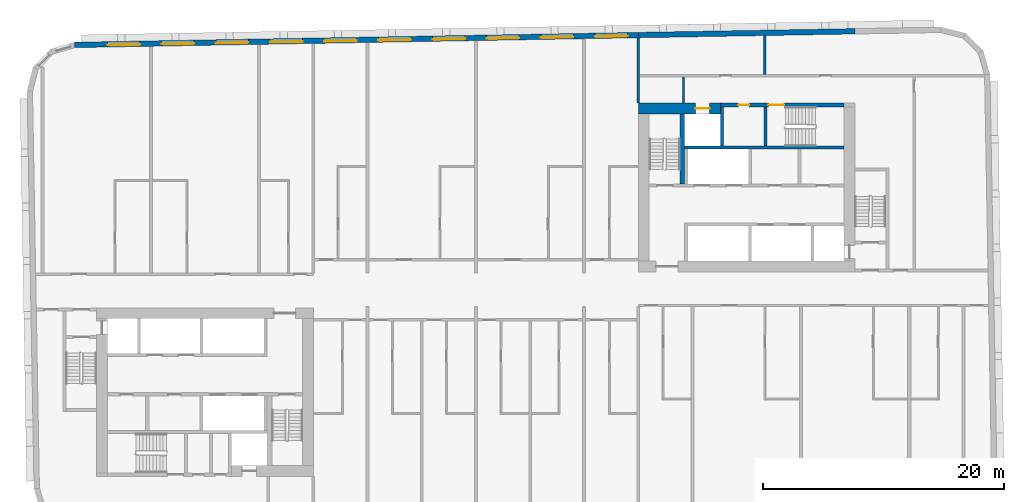
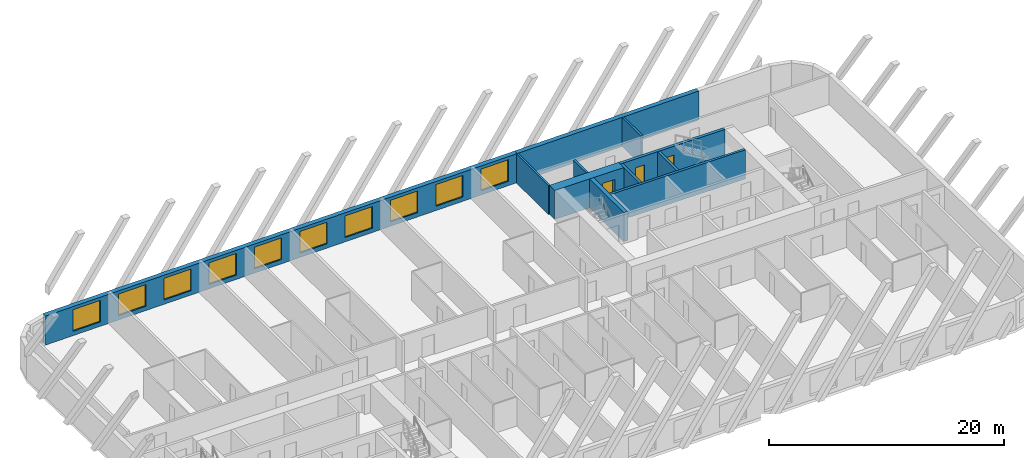
# One storey, part 6 of 12: 11 walls, 10 windows, 3 doors, 13 openings.
"""IFC4 building model written with IfcOpenShell, lengths in metres."""

from ifc_helpers import new_model, si_unit, direction, frame, frame_2d, origin, place, context, subcontext, project, spatial, rectangle, extrude, material, layer, layer_set, type_object, element, fill, save


model = new_model("IFC4")

# Units and contexts
model_context = context("Model", 3, precision=1e-05, world=origin(), true_north=direction((0.0, 1.0)))
body_context = subcontext(model_context, "Body", "Model", "MODEL_VIEW")
ifc_project = project(units=[si_unit("LENGTHUNIT", "METRE"), si_unit("AREAUNIT", "SQUARE_METRE"), si_unit("VOLUMEUNIT", "CUBIC_METRE"), si_unit("PLANEANGLEUNIT", "RADIAN"), si_unit("MASSUNIT", "GRAM", prefix="KILO")], contexts=[model_context])

# Site, building, storey
site_placement = place(None, origin())
site = spatial("IfcSite", under=ifc_project, at=site_placement, CompositionType="ELEMENT")
building_placement = place(site_placement, origin())
building = spatial("IfcBuilding", under=site, at=building_placement, Name="Kajstack Hotel Tower", CompositionType="ELEMENT")
storey_placement = place(building_placement, frame((0.0, 0.0, 247.39990234375)))
storey = spatial("IfcBuildingStorey", under=building, at=storey_placement, Name="L61", CompositionType="ELEMENT", Elevation=247.39990234375)

# Wall, opening, door
ifc_material_1 = material(Name="Concrete C60/75", Category="concrete")
ifc_layer_1 = layer(ifc_material_1, 0.89990234375)
ifc_layer_set_1 = layer_set([ifc_layer_1], Name="Core wall 900")
wall_type_1 = type_object("IfcWallType", Name="Core wall 900", PredefinedType="SHEAR", material=ifc_layer_set_1)
wall_1_placement = place(storey_placement, frame((13.5, 15.050048828125, 0.0), z_axis=(0.0, 0.0, 1.0), x_axis=(1.0, 0.0, 0.0)))
wall_1 = element("IfcWall", 1, at=wall_1_placement, inside=storey, type_object=wall_type_1, Name="Core wall E RS", PredefinedType="SHEAR", context=body_context, shape_type="SweptSolid", body=[
    extrude(rectangle(XDim=6.800048828125, YDim=0.89990234375, at=frame_2d((3.39990234375, 0.0))), origin(), (0.0, 0.0, 1.0), 3.02001953125),
])
opening_1_placement = place(wall_1_placement, frame((4.72509765625, 0.0, 0.0)))
opening_1 = element("IfcOpeningElement", 2, at=opening_1_placement, cuts=wall_1, Name="Opening LD-SV2", PredefinedType="OPENING", context=body_context, shape_type="SweptSolid", body=[
    extrude(rectangle(XDim=1.199951171875, YDim=2.10009765625, at=frame_2d((0.60009765625, 1.050048828125))), frame((0.0, 0.4599609375, 0.0), z_axis=(0.0, -1.0, 0.0), x_axis=(1.0, 0.0, 0.0)), (0.0, 0.0, 1.0), 0.919921875),
])
ifc_material_2 = material(Name="Stainless steel", Category="steel")
door_type_1 = type_object("IfcDoorType", Name="Lift landing door 1200", OperationType="SLIDING_TO_LEFT", PredefinedType="DOOR", material=ifc_material_2)
door_1_placement = place(opening_1_placement, origin())
door_1 = element("IfcDoor", 3, at=door_1_placement, inside=storey, type_object=door_type_1, Name="Landing door SV2", OperationType="SLIDING_TO_LEFT", OverallHeight=2.10009765625, OverallWidth=1.199951171875, PredefinedType="DOOR", context=body_context, shape_type="SweptSolid", body=[
    extrude(rectangle(XDim=1.199951171875, YDim=2.10009765625, at=frame_2d((0.60009765625, 1.050048828125))), frame((0.0, 0.02490234375, 0.0), z_axis=(0.0, -1.0, 0.0), x_axis=(1.0, 0.0, 0.0)), (0.0, 0.0, 1.0), 0.050048828125),
])
fill(opening_1, door_1)

# Walls
ifc_material_3 = material(Name="Twin-frame gypsum board on steel studs, mineral wool", Category="steel")
ifc_layer_2 = layer(ifc_material_3, 0.199951171875)
ifc_layer_set_2 = layer_set([ifc_layer_2], Name="Demising wall 200")
wall_type_2 = type_object("IfcWallType", Name="Demising wall 200", PredefinedType="PARTITIONING", material=ifc_layer_set_2)
wall_2_placement = place(storey_placement, frame((13.5, 15.5, 0.0), z_axis=(0.0, 0.0, 1.0), x_axis=(0.0, 1.0, 0.0)))
element("IfcWall", 4, at=wall_2_placement, inside=storey, type_object=wall_type_2, Name="G-wall-L61-001", PredefinedType="PARTITIONING", context=body_context, shape_type="SweptSolid", body=[
    extrude(rectangle(XDim=5.43603515625, YDim=0.199951171875, at=frame_2d((2.718017578125, 0.0))), origin(), (0.0, 0.0, 1.0), 3.02001953125),
])
ifc_material_4 = material(Name="Concrete C40/50", Category="concrete")
ifc_layer_3 = layer(ifc_material_4, 0.449951171875)
ifc_layer_set_3 = layer_set([ifc_layer_3], Name="EW-CORE")
wall_type_3 = type_object("IfcWallType", Name="EW-CORE", PredefinedType="SOLIDWALL", material=ifc_layer_set_3)
wall_3_placement = place(storey_placement, frame((31.50390625, 21.4755859375, 0.0), z_axis=(0.0, 0.0, 1.0), x_axis=(-0.999847677887, -0.017453395744, 0.0)))
element("IfcWall", 5, at=wall_3_placement, inside=storey, type_object=wall_type_3, Name="E-wall-L61-12-01", PredefinedType="SOLIDWALL", context=body_context, shape_type="SweptSolid", body=[
    extrude(rectangle(XDim=18.002685546875, YDim=0.449951171875, at=frame_2d((9.00146484375, 0.0))), origin(), (0.0, 0.0, 1.0), 3.02001953125),
])

# Wall, openings, windows
ifc_material_5 = material(Name="Terracotta-faced brick masonry", Category="masonry")
ifc_layer_4 = layer(ifc_material_5, 0.449951171875)
ifc_layer_set_4 = layer_set([ifc_layer_4], Name="EW-TERRA")
wall_type_4 = type_object("IfcWallType", Name="EW-TERRA", PredefinedType="SOLIDWALL", material=ifc_layer_set_4)
wall_4_placement = place(storey_placement, frame((13.50390625, 21.161376953125, 0.0), z_axis=(0.0, 0.0, 1.0), x_axis=(-0.999847763257, -0.017448504532, 0.0)))
wall_4 = element("IfcWall", 6, at=wall_4_placement, inside=storey, type_object=wall_type_4, Name="E-wall-L61-12-02", PredefinedType="SOLIDWALL", context=body_context, shape_type="SweptSolid", body=[
    extrude(rectangle(XDim=46.859375, YDim=0.449951171875, at=frame_2d((23.4296875, 0.0))), origin(), (0.0, 0.0, 1.0), 3.02001953125),
])
opening_2_placement = place(wall_4_placement, frame((0.900390625, 0.0, 0.449951171875)))
opening_2 = element("IfcOpeningElement", 7, at=opening_2_placement, cuts=wall_4, Name="Opening W1", PredefinedType="OPENING", context=body_context, shape_type="SweptSolid", body=[
    extrude(rectangle(XDim=2.699951171875, YDim=2.25, at=frame_2d((1.35009765625, 1.125))), frame((0.0, 0.23486328125, 0.0), z_axis=(0.0, -1.0, 0.0), x_axis=(1.0, 0.0, 0.0)), (0.0, 0.0, 1.0), 0.469970703125),
])
opening_3_placement = place(wall_4_placement, frame((5.401123046875, 0.0, 0.449951171875)))
opening_3 = element("IfcOpeningElement", 8, at=opening_3_placement, cuts=wall_4, Name="Opening W1", PredefinedType="OPENING", context=body_context, shape_type="SweptSolid", body=[
    extrude(rectangle(XDim=2.699951171875, YDim=2.25, at=frame_2d((1.35009765625, 1.125))), frame((0.0, 0.23486328125, 0.0), z_axis=(0.0, -1.0, 0.0), x_axis=(1.0, 0.0, 0.0)), (0.0, 0.0, 1.0), 0.469970703125),
])
opening_4_placement = place(wall_4_placement, frame((9.90185546875, 0.0, 0.449951171875)))
opening_4 = element("IfcOpeningElement", 9, at=opening_4_placement, cuts=wall_4, Name="Opening W1", PredefinedType="OPENING", context=body_context, shape_type="SweptSolid", body=[
    extrude(rectangle(XDim=2.699951171875, YDim=2.25, at=frame_2d((1.35009765625, 1.125))), frame((0.0, 0.23486328125, 0.0), z_axis=(0.0, -1.0, 0.0), x_axis=(1.0, 0.0, 0.0)), (0.0, 0.0, 1.0), 0.469970703125),
])
opening_5_placement = place(wall_4_placement, frame((14.40234375, 0.0, 0.449951171875)))
opening_5 = element("IfcOpeningElement", 10, at=opening_5_placement, cuts=wall_4, Name="Opening W1", PredefinedType="OPENING", context=body_context, shape_type="SweptSolid", body=[
    extrude(rectangle(XDim=2.699951171875, YDim=2.25, at=frame_2d((1.35009765625, 1.125))), frame((0.0, 0.23486328125, 0.0), z_axis=(0.0, -1.0, 0.0), x_axis=(1.0, 0.0, 0.0)), (0.0, 0.0, 1.0), 0.469970703125),
])
opening_6_placement = place(wall_4_placement, frame((18.9033203125, 0.0, 0.449951171875)))
opening_6 = element("IfcOpeningElement", 11, at=opening_6_placement, cuts=wall_4, Name="Opening W1", PredefinedType="OPENING", context=body_context, shape_type="SweptSolid", body=[
    extrude(rectangle(XDim=2.699951171875, YDim=2.25, at=frame_2d((1.35009765625, 1.125))), frame((0.0, 0.23486328125, 0.0), z_axis=(0.0, -1.0, 0.0), x_axis=(1.0, 0.0, 0.0)), (0.0, 0.0, 1.0), 0.469970703125),
])
opening_7_placement = place(wall_4_placement, frame((23.40380859375, 0.0, 0.449951171875)))
opening_7 = element("IfcOpeningElement", 12, at=opening_7_placement, cuts=wall_4, Name="Opening W1", PredefinedType="OPENING", context=body_context, shape_type="SweptSolid", body=[
    extrude(rectangle(XDim=2.699951171875, YDim=2.25, at=frame_2d((1.35009765625, 1.125))), frame((0.0, 0.23486328125, 0.0), z_axis=(0.0, -1.0, 0.0), x_axis=(1.0, 0.0, 0.0)), (0.0, 0.0, 1.0), 0.469970703125),
])
opening_8_placement = place(wall_4_placement, frame((27.904296875, 0.0, 0.449951171875)))
opening_8 = element("IfcOpeningElement", 13, at=opening_8_placement, cuts=wall_4, Name="Opening W1", PredefinedType="OPENING", context=body_context, shape_type="SweptSolid", body=[
    extrude(rectangle(XDim=2.699951171875, YDim=2.25, at=frame_2d((1.35009765625, 1.125))), frame((0.0, 0.23486328125, 0.0), z_axis=(0.0, -1.0, 0.0), x_axis=(1.0, 0.0, 0.0)), (0.0, 0.0, 1.0), 0.469970703125),
])
opening_9_placement = place(wall_4_placement, frame((32.4052734375, 0.0, 0.449951171875)))
opening_9 = element("IfcOpeningElement", 14, at=opening_9_placement, cuts=wall_4, Name="Opening W1", PredefinedType="OPENING", context=body_context, shape_type="SweptSolid", body=[
    extrude(rectangle(XDim=2.699951171875, YDim=2.25, at=frame_2d((1.35009765625, 1.125))), frame((0.0, 0.23486328125, 0.0), z_axis=(0.0, -1.0, 0.0), x_axis=(1.0, 0.0, 0.0)), (0.0, 0.0, 1.0), 0.469970703125),
])
opening_10_placement = place(wall_4_placement, frame((36.906005859375, 0.0, 0.449951171875)))
opening_10 = element("IfcOpeningElement", 15, at=opening_10_placement, cuts=wall_4, Name="Opening W1", PredefinedType="OPENING", context=body_context, shape_type="SweptSolid", body=[
    extrude(rectangle(XDim=2.699951171875, YDim=2.25, at=frame_2d((1.35009765625, 1.125))), frame((0.0, 0.23486328125, 0.0), z_axis=(0.0, -1.0, 0.0), x_axis=(1.0, 0.0, 0.0)), (0.0, 0.0, 1.0), 0.469970703125),
])
opening_11_placement = place(wall_4_placement, frame((41.406494140625, 0.0, 0.449951171875)))
opening_11 = element("IfcOpeningElement", 16, at=opening_11_placement, cuts=wall_4, Name="Opening W1", PredefinedType="OPENING", context=body_context, shape_type="SweptSolid", body=[
    extrude(rectangle(XDim=2.699951171875, YDim=2.25, at=frame_2d((1.35009765625, 1.125))), frame((0.0, 0.23486328125, 0.0), z_axis=(0.0, -1.0, 0.0), x_axis=(1.0, 0.0, 0.0)), (0.0, 0.0, 1.0), 0.469970703125),
])
ifc_material_6 = material(Name="Timber-aluminium window, triple glazed", Category="wood")
window_type = type_object("IfcWindowType", Name="WG1", PartitioningType="SINGLE_PANEL", PredefinedType="WINDOW", material=ifc_material_6)
window_1_placement = place(opening_2_placement, origin())
window_1 = element("IfcWindow", 17, at=window_1_placement, inside=storey, type_object=window_type, Name="Window W1 L61-12", OverallHeight=2.25, OverallWidth=2.699951171875, PartitioningType="SINGLE_PANEL", PredefinedType="WINDOW", context=body_context, shape_type="SweptSolid", body=[
    extrude(rectangle(XDim=2.699951171875, YDim=2.25, at=frame_2d((1.35009765625, 1.125))), frame((0.0, 0.090087890625, 0.0), z_axis=(0.0, -1.0, 0.0), x_axis=(1.0, 0.0, 0.0)), (0.0, 0.0, 1.0), 0.06005859375),
])
fill(opening_2, window_1)
window_2_placement = place(opening_3_placement, origin())
window_2 = element("IfcWindow", 18, at=window_2_placement, inside=storey, type_object=window_type, Name="Window W1 L61-12", OverallHeight=2.25, OverallWidth=2.699951171875, PartitioningType="SINGLE_PANEL", PredefinedType="WINDOW", context=body_context, shape_type="SweptSolid", body=[
    extrude(rectangle(XDim=2.699951171875, YDim=2.25, at=frame_2d((1.35009765625, 1.125))), frame((0.0, 0.090087890625, 0.0), z_axis=(0.0, -1.0, 0.0), x_axis=(1.0, 0.0, 0.0)), (0.0, 0.0, 1.0), 0.06005859375),
])
fill(opening_3, window_2)
window_3_placement = place(opening_4_placement, origin())
window_3 = element("IfcWindow", 19, at=window_3_placement, inside=storey, type_object=window_type, Name="Window W1 L61-12", OverallHeight=2.25, OverallWidth=2.699951171875, PartitioningType="SINGLE_PANEL", PredefinedType="WINDOW", context=body_context, shape_type="SweptSolid", body=[
    extrude(rectangle(XDim=2.699951171875, YDim=2.25, at=frame_2d((1.35009765625, 1.125))), frame((0.0, 0.090087890625, 0.0), z_axis=(0.0, -1.0, 0.0), x_axis=(1.0, 0.0, 0.0)), (0.0, 0.0, 1.0), 0.06005859375),
])
fill(opening_4, window_3)
window_4_placement = place(opening_5_placement, origin())
window_4 = element("IfcWindow", 20, at=window_4_placement, inside=storey, type_object=window_type, Name="Window W1 L61-12", OverallHeight=2.25, OverallWidth=2.699951171875, PartitioningType="SINGLE_PANEL", PredefinedType="WINDOW", context=body_context, shape_type="SweptSolid", body=[
    extrude(rectangle(XDim=2.699951171875, YDim=2.25, at=frame_2d((1.35009765625, 1.125))), frame((0.0, 0.090087890625, 0.0), z_axis=(0.0, -1.0, 0.0), x_axis=(1.0, 0.0, 0.0)), (0.0, 0.0, 1.0), 0.06005859375),
])
fill(opening_5, window_4)
window_5_placement = place(opening_6_placement, origin())
window_5 = element("IfcWindow", 21, at=window_5_placement, inside=storey, type_object=window_type, Name="Window W1 L61-12", OverallHeight=2.25, OverallWidth=2.699951171875, PartitioningType="SINGLE_PANEL", PredefinedType="WINDOW", context=body_context, shape_type="SweptSolid", body=[
    extrude(rectangle(XDim=2.699951171875, YDim=2.25, at=frame_2d((1.35009765625, 1.125))), frame((0.0, 0.090087890625, 0.0), z_axis=(0.0, -1.0, 0.0), x_axis=(1.0, 0.0, 0.0)), (0.0, 0.0, 1.0), 0.06005859375),
])
fill(opening_6, window_5)
window_6_placement = place(opening_7_placement, origin())
window_6 = element("IfcWindow", 22, at=window_6_placement, inside=storey, type_object=window_type, Name="Window W1 L61-12", OverallHeight=2.25, OverallWidth=2.699951171875, PartitioningType="SINGLE_PANEL", PredefinedType="WINDOW", context=body_context, shape_type="SweptSolid", body=[
    extrude(rectangle(XDim=2.699951171875, YDim=2.25, at=frame_2d((1.35009765625, 1.125))), frame((0.0, 0.090087890625, 0.0), z_axis=(0.0, -1.0, 0.0), x_axis=(1.0, 0.0, 0.0)), (0.0, 0.0, 1.0), 0.06005859375),
])
fill(opening_7, window_6)
window_7_placement = place(opening_8_placement, origin())
window_7 = element("IfcWindow", 23, at=window_7_placement, inside=storey, type_object=window_type, Name="Window W1 L61-12", OverallHeight=2.25, OverallWidth=2.699951171875, PartitioningType="SINGLE_PANEL", PredefinedType="WINDOW", context=body_context, shape_type="SweptSolid", body=[
    extrude(rectangle(XDim=2.699951171875, YDim=2.25, at=frame_2d((1.35009765625, 1.125))), frame((0.0, 0.090087890625, 0.0), z_axis=(0.0, -1.0, 0.0), x_axis=(1.0, 0.0, 0.0)), (0.0, 0.0, 1.0), 0.06005859375),
])
fill(opening_8, window_7)
window_8_placement = place(opening_9_placement, origin())
window_8 = element("IfcWindow", 24, at=window_8_placement, inside=storey, type_object=window_type, Name="Window W1 L61-12", OverallHeight=2.25, OverallWidth=2.699951171875, PartitioningType="SINGLE_PANEL", PredefinedType="WINDOW", context=body_context, shape_type="SweptSolid", body=[
    extrude(rectangle(XDim=2.699951171875, YDim=2.25, at=frame_2d((1.35009765625, 1.125))), frame((0.0, 0.090087890625, 0.0), z_axis=(0.0, -1.0, 0.0), x_axis=(1.0, 0.0, 0.0)), (0.0, 0.0, 1.0), 0.06005859375),
])
fill(opening_9, window_8)
window_9_placement = place(opening_10_placement, origin())
window_9 = element("IfcWindow", 25, at=window_9_placement, inside=storey, type_object=window_type, Name="Window W1 L61-12", OverallHeight=2.25, OverallWidth=2.699951171875, PartitioningType="SINGLE_PANEL", PredefinedType="WINDOW", context=body_context, shape_type="SweptSolid", body=[
    extrude(rectangle(XDim=2.699951171875, YDim=2.25, at=frame_2d((1.35009765625, 1.125))), frame((0.0, 0.090087890625, 0.0), z_axis=(0.0, -1.0, 0.0), x_axis=(1.0, 0.0, 0.0)), (0.0, 0.0, 1.0), 0.06005859375),
])
fill(opening_10, window_9)
window_10_placement = place(opening_11_placement, origin())
window_10 = element("IfcWindow", 26, at=window_10_placement, inside=storey, type_object=window_type, Name="Window W1 L61-12", OverallHeight=2.25, OverallWidth=2.699951171875, PartitioningType="SINGLE_PANEL", PredefinedType="WINDOW", context=body_context, shape_type="SweptSolid", body=[
    extrude(rectangle(XDim=2.699951171875, YDim=2.25, at=frame_2d((1.35009765625, 1.125))), frame((0.0, 0.090087890625, 0.0), z_axis=(0.0, -1.0, 0.0), x_axis=(1.0, 0.0, 0.0)), (0.0, 0.0, 1.0), 0.06005859375),
])
fill(opening_11, window_10)

# Walls
ifc_material_7 = material(Name="Gypsum board on steel studs, mineral wool", Category="steel")
ifc_layer_5 = layer(ifc_material_7, 0.199951171875)
ifc_layer_set_5 = layer_set([ifc_layer_5], Name="Service partition 200")
wall_type_5 = type_object("IfcWallType", Name="Service partition 200", PredefinedType="PARTITIONING", material=ifc_layer_set_5)
wall_5_placement = place(storey_placement, frame((17.25, 15.5, 0.0), z_axis=(0.0, 0.0, 1.0), x_axis=(0.0, 1.0, 0.0)))
element("IfcWall", 27, at=wall_5_placement, inside=storey, type_object=wall_type_5, Name="Partition E SCE", PredefinedType="PARTITIONING", context=body_context, shape_type="SweptSolid", body=[
    extrude(rectangle(XDim=2.199951171875, YDim=0.199951171875, at=frame_2d((1.10009765625, 0.0))), origin(), (0.0, 0.0, 1.0), 3.02001953125),
])
wall_6_placement = place(storey_placement, frame((24.0, 17.89990234375, 0.0), z_axis=(0.0, 0.0, 1.0), x_axis=(0.0, 1.0, 0.0)))
element("IfcWall", 28, at=wall_6_placement, inside=storey, type_object=wall_type_5, Name="Partition E SLP0", PredefinedType="PARTITIONING", context=body_context, shape_type="SweptSolid", body=[
    extrude(rectangle(XDim=3.219970703125, YDim=0.199951171875, at=frame_2d((1.60986328125, 0.0))), origin(), (0.0, 0.0, 1.0), 3.02001953125),
])

# Wall, openings, doors
ifc_material_8 = material(Name="Concrete C50/60", Category="concrete")
ifc_layer_6 = layer(ifc_material_8, 0.25)
ifc_layer_set_6 = layer_set([ifc_layer_6], Name="Shaft wall 250")
wall_type_6 = type_object("IfcWallType", Name="Shaft wall 250", PredefinedType="SHEAR", material=ifc_layer_set_6)
wall_7_placement = place(storey_placement, frame((20.300048828125, 15.35009765625, 0.0), z_axis=(0.0, 0.0, 1.0), x_axis=(1.0, 0.0, 0.0)))
wall_7 = element("IfcWall", 29, at=wall_7_placement, inside=storey, type_object=wall_type_6, Name="Core wall E RSS", PredefinedType="SHEAR", context=body_context, shape_type="SweptSolid", body=[
    extrude(rectangle(XDim=10.300048828125, YDim=0.300048828125, at=frame_2d((5.14990234375, 0.0))), origin(), (0.0, 0.0, 1.0), 3.02001953125),
])
opening_12_placement = place(wall_7_placement, frame((4.0, 0.0, 0.0)))
opening_12 = element("IfcOpeningElement", 30, at=opening_12_placement, cuts=wall_7, Name="Opening 61E12", PredefinedType="OPENING", context=body_context, shape_type="SweptSolid", body=[
    extrude(rectangle(XDim=1.300048828125, YDim=2.10009765625, at=frame_2d((0.64990234375, 1.050048828125))), frame((0.0, 0.159912109375, 0.0), z_axis=(0.0, -1.0, 0.0), x_axis=(1.0, 0.0, 0.0)), (0.0, 0.0, 1.0), 0.320068359375),
])
opening_13_placement = place(wall_7_placement, frame((1.5, 0.0, 0.0)))
opening_13 = element("IfcOpeningElement", 31, at=opening_13_placement, cuts=wall_7, Name="Opening 61E13", PredefinedType="OPENING", context=body_context, shape_type="SweptSolid", body=[
    extrude(rectangle(XDim=0.89990234375, YDim=2.10009765625, at=frame_2d((0.449951171875, 1.050048828125))), frame((0.0, 0.159912109375, 0.0), z_axis=(0.0, -1.0, 0.0), x_axis=(1.0, 0.0, 0.0)), (0.0, 0.0, 1.0), 0.320068359375),
])
ifc_material_9 = material(Name="Timber leaf, fire-rated", Category="wood")
door_type_2 = type_object("IfcDoorType", Name="Service door 900", OperationType="SINGLE_SWING_LEFT", PredefinedType="DOOR", material=ifc_material_9)
door_2_placement = place(opening_13_placement, origin())
door_2 = element("IfcDoor", 32, at=door_2_placement, inside=storey, type_object=door_type_2, Name="Door 61E13", OperationType="SINGLE_SWING_RIGHT", OverallHeight=2.10009765625, OverallWidth=0.89990234375, PredefinedType="DOOR", context=body_context, shape_type="SweptSolid", body=[
    extrude(rectangle(XDim=0.89990234375, YDim=2.10009765625, at=frame_2d((0.449951171875, 1.050048828125))), frame((0.0, 0.02490234375, 0.0), z_axis=(0.0, -1.0, 0.0), x_axis=(1.0, 0.0, 0.0)), (0.0, 0.0, 1.0), 0.050048828125),
])
fill(opening_13, door_2)
ifc_material_10 = material(Name="Steel leaf, fire-rated", Category="steel")
door_type_3 = type_object("IfcDoorType", Name="Stair door 1300", OperationType="SINGLE_SWING_LEFT", PredefinedType="DOOR", material=ifc_material_10)
door_3_placement = place(opening_12_placement, origin())
door_3 = element("IfcDoor", 33, at=door_3_placement, inside=storey, type_object=door_type_3, Name="Door 61E12", OperationType="SINGLE_SWING_LEFT", OverallHeight=2.10009765625, OverallWidth=1.300048828125, PredefinedType="DOOR", context=body_context, shape_type="SweptSolid", body=[
    extrude(rectangle(XDim=1.300048828125, YDim=2.10009765625, at=frame_2d((0.64990234375, 1.050048828125))), frame((0.0, 0.02490234375, 0.0), z_axis=(0.0, -1.0, 0.0), x_axis=(1.0, 0.0, 0.0)), (0.0, 0.0, 1.0), 0.050048828125),
])
fill(opening_12, door_3)

# Walls
wall_8_placement = place(storey_placement, frame((17.35009765625, 11.824951171875, 0.0), z_axis=(0.0, 0.0, 1.0), x_axis=(1.0, 0.0, 0.0)))
element("IfcWall", 34, at=wall_8_placement, inside=storey, type_object=wall_type_6, Name="Core wall E RB", PredefinedType="SHEAR", context=body_context, shape_type="SweptSolid", body=[
    extrude(rectangle(XDim=13.25, YDim=0.25, at=frame_2d((6.625, 0.0))), origin(), (0.0, 0.0, 1.0), 3.02001953125),
])
wall_9_placement = place(storey_placement, frame((20.425048828125, 11.949951171875, 0.0), z_axis=(0.0, 0.0, 1.0), x_axis=(0.0, 1.0, 0.0)))
element("IfcWall", 35, at=wall_9_placement, inside=storey, type_object=wall_type_6, Name="Core wall E SVW", PredefinedType="SHEAR", context=body_context, shape_type="SweptSolid", body=[
    extrude(rectangle(XDim=3.25, YDim=0.25, at=frame_2d((1.625, 0.0))), origin(), (0.0, 0.0, 1.0), 3.02001953125),
])
ifc_layer_7 = layer(ifc_material_8, 0.35009765625)
ifc_layer_set_7 = layer_set([ifc_layer_7], Name="Stair enclosure wall 350")
wall_type_7 = type_object("IfcWallType", Name="Stair enclosure wall 350", PredefinedType="SHEAR", material=ifc_layer_set_7)
wall_10_placement = place(storey_placement, frame((24.074951171875, 11.949951171875, 0.0), z_axis=(0.0, 0.0, 1.0), x_axis=(0.0, 1.0, 0.0)))
element("IfcWall", 36, at=wall_10_placement, inside=storey, type_object=wall_type_7, Name="Core wall E W3E", PredefinedType="SHEAR", context=body_context, shape_type="SweptSolid", body=[
    extrude(rectangle(XDim=3.25, YDim=0.25, at=frame_2d((1.625, 0.0))), origin(), (0.0, 0.0, 1.0), 3.02001953125),
])
ifc_layer_8 = layer(ifc_material_8, 0.39990234375)
ifc_layer_set_8 = layer_set([ifc_layer_8], Name="Stair wall 400")
wall_type_8 = type_object("IfcWallType", Name="Stair wall 400", PredefinedType="SHEAR", material=ifc_layer_set_8)
wall_11_placement = place(storey_placement, frame((17.14990234375, 8.800048828125, 0.0), z_axis=(0.0, 0.0, 1.0), x_axis=(0.0, 1.0, 0.0)))
element("IfcWall", 37, at=wall_11_placement, inside=storey, type_object=wall_type_8, Name="Core wall E WW2", PredefinedType="SHEAR", context=body_context, shape_type="SweptSolid", body=[
    extrude(rectangle(XDim=5.800048828125, YDim=0.39990234375, at=frame_2d((2.89990234375, 0.0))), origin(), (0.0, 0.0, 1.0), 3.02001953125),
])

save(model, "model.ifc")
